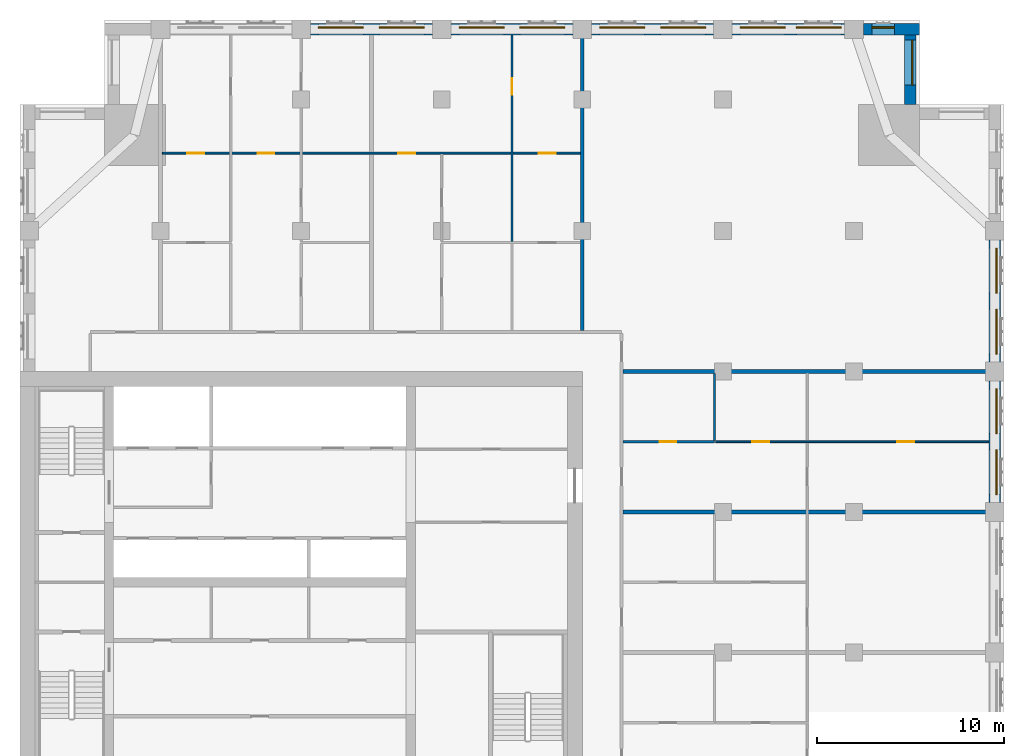
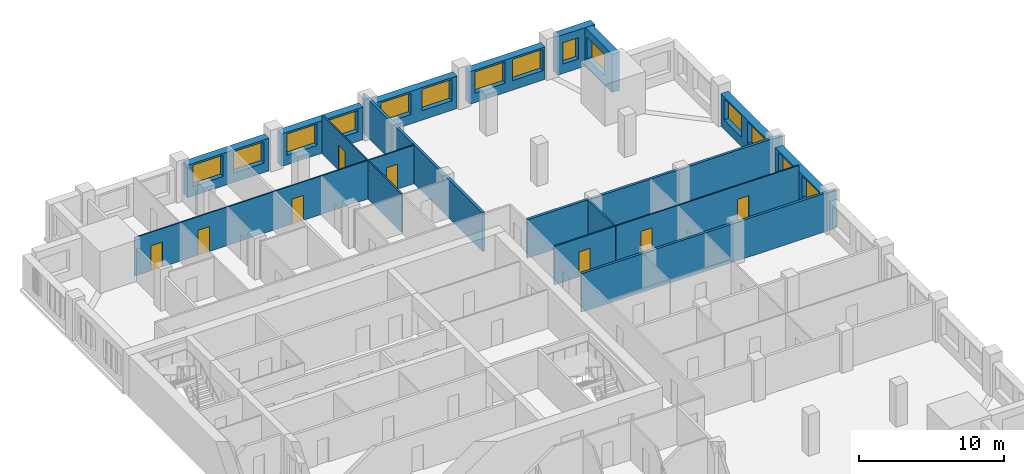
# One storey, part 11 of 14: 16 walls, 14 windows, 8 doors, 22 openings.
"""IFC4 building model written with IfcOpenShell, lengths in metres."""

from ifc_helpers import new_model, si_unit, direction, frame, frame_2d, origin, place, context, subcontext, project, spatial, rectangle, extrude, material, layer, layer_set, type_object, element, fill, save


model = new_model("IFC4")

# Units and contexts
model_context = context("Model", 3, precision=1e-05, world=origin(), true_north=direction((0.0, 1.0)))
body_context = subcontext(model_context, "Body", "Model", "MODEL_VIEW")
ifc_project = project(units=[si_unit("LENGTHUNIT", "METRE"), si_unit("AREAUNIT", "SQUARE_METRE"), si_unit("VOLUMEUNIT", "CUBIC_METRE"), si_unit("PLANEANGLEUNIT", "RADIAN"), si_unit("MASSUNIT", "GRAM", prefix="KILO")], contexts=[model_context])

# Site, building, storey
site_placement = place(None, origin())
site = spatial("IfcSite", under=ifc_project, at=site_placement, CompositionType="ELEMENT")
building_placement = place(site_placement, origin())
building = spatial("IfcBuilding", under=site, at=building_placement, Name="Tamorin Gate", CompositionType="ELEMENT")
storey_placement = place(building_placement, frame((0.0, 0.0, 196.699951171875)))
storey = spatial("IfcBuildingStorey", under=building, at=storey_placement, Name="L48", CompositionType="ELEMENT", Elevation=196.699951171875)

# Wall, openings, windows
ifc_material_1 = material(Name="Precast concrete C40/50", Category="concrete")
ifc_layer_1 = layer(ifc_material_1, 0.60009765625)
ifc_layer_set_1 = layer_set([ifc_layer_1], Name="Precast concrete C40/50")
wall_type_1 = type_object("IfcWallType", Name="Board-marked concrete facade panel 600", PredefinedType="SOLIDWALL", material=ifc_layer_set_1)
wall_1_placement = place(storey_placement, frame((82.0, 75.5, 0.0), z_axis=(0.0, 0.0, 1.0), x_axis=(0.0, 1.0, 0.0)))
wall_1 = element("IfcWall", 1, at=wall_1_placement, inside=storey, type_object=wall_type_1, Name="Facade panel", PredefinedType="SOLIDWALL", context=body_context, shape_type="SweptSolid", body=[
    extrude(rectangle(XDim=6.5, YDim=0.60009765625, at=frame_2d((3.25, 0.0))), origin(), (0.0, 0.0, 1.0), 2.75),
])
opening_1_placement = place(wall_1_placement, frame((0.425048828125, 0.0, 0.800048828125)))
opening_1 = element("IfcOpeningElement", 2, at=opening_1_placement, cuts=wall_1, Name="Opening WN1", PredefinedType="OPENING", context=body_context, shape_type="SweptSolid", body=[
    extrude(rectangle(XDim=2.39990234375, YDim=1.800048828125, at=frame_2d((1.199951171875, 0.89990234375))), frame((0.0, 0.31005859375, 0.0), z_axis=(0.0, -1.0, 0.0), x_axis=(1.0, 0.0, 0.0)), (0.0, 0.0, 1.0), 0.6201171875),
])
opening_2_placement = place(wall_1_placement, frame((3.675048828125, 0.0, 0.800048828125)))
opening_2 = element("IfcOpeningElement", 3, at=opening_2_placement, cuts=wall_1, Name="Opening WN1", PredefinedType="OPENING", context=body_context, shape_type="SweptSolid", body=[
    extrude(rectangle(XDim=2.39990234375, YDim=1.800048828125, at=frame_2d((1.199951171875, 0.89990234375))), frame((0.0, 0.31005859375, 0.0), z_axis=(0.0, -1.0, 0.0), x_axis=(1.0, 0.0, 0.0)), (0.0, 0.0, 1.0), 0.6201171875),
])
ifc_material_2 = material(Name="Clear glass in aluminium frame", Category="aluminium")
window_type_1 = type_object("IfcWindowType", Name="Deep-set window 2400x1800", PartitioningType="SINGLE_PANEL", PredefinedType="WINDOW", material=ifc_material_2)
window_1_placement = place(opening_1_placement, origin())
window_1 = element("IfcWindow", 4, at=window_1_placement, inside=storey, type_object=window_type_1, Name="Deep-set window", OverallHeight=1.800048828125, OverallWidth=2.39990234375, PartitioningType="SINGLE_PANEL", PredefinedType="WINDOW", context=body_context, shape_type="SweptSolid", body=[
    extrude(rectangle(XDim=2.39990234375, YDim=1.800048828125, at=frame_2d((1.199951171875, 0.89990234375))), frame((0.0, -0.070068359375, 0.0), z_axis=(0.0, -1.0, 0.0), x_axis=(1.0, 0.0, 0.0)), (0.0, 0.0, 1.0), 0.06005859375),
])
fill(opening_1, window_1)
window_2_placement = place(opening_2_placement, origin())
window_2 = element("IfcWindow", 5, at=window_2_placement, inside=storey, type_object=window_type_1, Name="Deep-set window", OverallHeight=1.800048828125, OverallWidth=2.39990234375, PartitioningType="SINGLE_PANEL", PredefinedType="WINDOW", context=body_context, shape_type="SweptSolid", body=[
    extrude(rectangle(XDim=2.39990234375, YDim=1.800048828125, at=frame_2d((1.199951171875, 0.89990234375))), frame((0.0, -0.070068359375, 0.0), z_axis=(0.0, -1.0, 0.0), x_axis=(1.0, 0.0, 0.0)), (0.0, 0.0, 1.0), 0.06005859375),
])
fill(opening_2, window_2)

wall_2_placement = place(storey_placement, frame((82.0, 83.0, 0.0), z_axis=(0.0, 0.0, 1.0), x_axis=(0.0, 1.0, 0.0)))
wall_2 = element("IfcWall", 6, at=wall_2_placement, inside=storey, type_object=wall_type_1, Name="Facade panel", PredefinedType="SOLIDWALL", context=body_context, shape_type="SweptSolid", body=[
    extrude(rectangle(XDim=6.5, YDim=0.60009765625, at=frame_2d((3.25, 0.0))), origin(), (0.0, 0.0, 1.0), 2.75),
])
opening_3_placement = place(wall_2_placement, frame((0.425048828125, 0.0, 0.800048828125)))
opening_3 = element("IfcOpeningElement", 7, at=opening_3_placement, cuts=wall_2, Name="Opening WN1", PredefinedType="OPENING", context=body_context, shape_type="SweptSolid", body=[
    extrude(rectangle(XDim=2.39990234375, YDim=1.800048828125, at=frame_2d((1.199951171875, 0.89990234375))), frame((0.0, 0.31005859375, 0.0), z_axis=(0.0, -1.0, 0.0), x_axis=(1.0, 0.0, 0.0)), (0.0, 0.0, 1.0), 0.6201171875),
])
opening_4_placement = place(wall_2_placement, frame((3.675048828125, 0.0, 0.800048828125)))
opening_4 = element("IfcOpeningElement", 8, at=opening_4_placement, cuts=wall_2, Name="Opening WN1", PredefinedType="OPENING", context=body_context, shape_type="SweptSolid", body=[
    extrude(rectangle(XDim=2.39990234375, YDim=1.800048828125, at=frame_2d((1.199951171875, 0.89990234375))), frame((0.0, 0.31005859375, 0.0), z_axis=(0.0, -1.0, 0.0), x_axis=(1.0, 0.0, 0.0)), (0.0, 0.0, 1.0), 0.6201171875),
])
window_3_placement = place(opening_3_placement, origin())
window_3 = element("IfcWindow", 9, at=window_3_placement, inside=storey, type_object=window_type_1, Name="Deep-set window", OverallHeight=1.800048828125, OverallWidth=2.39990234375, PartitioningType="SINGLE_PANEL", PredefinedType="WINDOW", context=body_context, shape_type="SweptSolid", body=[
    extrude(rectangle(XDim=2.39990234375, YDim=1.800048828125, at=frame_2d((1.199951171875, 0.89990234375))), frame((0.0, -0.070068359375, 0.0), z_axis=(0.0, -1.0, 0.0), x_axis=(1.0, 0.0, 0.0)), (0.0, 0.0, 1.0), 0.06005859375),
])
fill(opening_3, window_3)
window_4_placement = place(opening_4_placement, origin())
window_4 = element("IfcWindow", 10, at=window_4_placement, inside=storey, type_object=window_type_1, Name="Deep-set window", OverallHeight=1.800048828125, OverallWidth=2.39990234375, PartitioningType="SINGLE_PANEL", PredefinedType="WINDOW", context=body_context, shape_type="SweptSolid", body=[
    extrude(rectangle(XDim=2.39990234375, YDim=1.800048828125, at=frame_2d((1.199951171875, 0.89990234375))), frame((0.0, -0.070068359375, 0.0), z_axis=(0.0, -1.0, 0.0), x_axis=(1.0, 0.0, 0.0)), (0.0, 0.0, 1.0), 0.06005859375),
])
fill(opening_4, window_4)

# Wall, opening, window
wall_3_placement = place(storey_placement, frame((77.5, 96.75, 0.0), z_axis=(0.0, 0.0, 1.0), x_axis=(0.0, 1.0, 0.0)))
wall_3 = element("IfcWall", 11, at=wall_3_placement, inside=storey, type_object=wall_type_1, Name="Facade panel", PredefinedType="SOLIDWALL", context=body_context, shape_type="SweptSolid", body=[
    extrude(rectangle(XDim=3.699951171875, YDim=0.60009765625, at=frame_2d((1.85009765625, 0.0))), origin(), (0.0, 0.0, 1.0), 3.25),
])
opening_5_placement = place(wall_3_placement, frame((1.02490234375, 0.0, 0.800048828125)))
opening_5 = element("IfcOpeningElement", 12, at=opening_5_placement, cuts=wall_3, Name="Opening WN1", PredefinedType="OPENING", context=body_context, shape_type="SweptSolid", body=[
    extrude(rectangle(XDim=2.39990234375, YDim=1.800048828125, at=frame_2d((1.199951171875, 0.89990234375))), frame((0.0, 0.31005859375, 0.0), z_axis=(0.0, -1.0, 0.0), x_axis=(1.0, 0.0, 0.0)), (0.0, 0.0, 1.0), 0.6201171875),
])
window_5_placement = place(opening_5_placement, origin())
window_5 = element("IfcWindow", 13, at=window_5_placement, inside=storey, type_object=window_type_1, Name="Deep-set window", OverallHeight=1.800048828125, OverallWidth=2.39990234375, PartitioningType="SINGLE_PANEL", PredefinedType="WINDOW", context=body_context, shape_type="SweptSolid", body=[
    extrude(rectangle(XDim=2.39990234375, YDim=1.800048828125, at=frame_2d((1.199951171875, 0.89990234375))), frame((0.0, -0.070068359375, 0.0), z_axis=(0.0, -1.0, 0.0), x_axis=(1.0, 0.0, 0.0)), (0.0, 0.0, 1.0), 0.06005859375),
])
fill(opening_5, window_5)

wall_4_placement = place(storey_placement, frame((78.0, 100.75, 0.0), z_axis=(0.0, 0.0, 1.0), x_axis=(-1.0, 0.0, 0.0)))
wall_4 = element("IfcWall", 14, at=wall_4_placement, inside=storey, type_object=wall_type_1, Name="Facade panel", PredefinedType="SOLIDWALL", context=body_context, shape_type="SweptSolid", body=[
    extrude(rectangle(XDim=3.0, YDim=0.60009765625, at=frame_2d((1.5, 0.0))), origin(), (0.0, 0.0, 1.0), 3.25),
])
opening_6_placement = place(wall_4_placement, frame((1.35009765625, 0.0, 0.800048828125)))
opening_6 = element("IfcOpeningElement", 15, at=opening_6_placement, cuts=wall_4, Name="Opening WN3", PredefinedType="OPENING", context=body_context, shape_type="SweptSolid", body=[
    extrude(rectangle(XDim=1.199951171875, YDim=1.800048828125, at=frame_2d((0.60009765625, 0.89990234375))), frame((0.0, 0.31005859375, 0.0), z_axis=(0.0, -1.0, 0.0), x_axis=(1.0, 0.0, 0.0)), (0.0, 0.0, 1.0), 0.6201171875),
])
window_type_2 = type_object("IfcWindowType", Name="Deep-set window 1200x1800", PartitioningType="SINGLE_PANEL", PredefinedType="WINDOW", material=ifc_material_2)
window_6_placement = place(opening_6_placement, origin())
window_6 = element("IfcWindow", 16, at=window_6_placement, inside=storey, type_object=window_type_2, Name="Deep-set window", OverallHeight=1.800048828125, OverallWidth=1.199951171875, PartitioningType="SINGLE_PANEL", PredefinedType="WINDOW", context=body_context, shape_type="SweptSolid", body=[
    extrude(rectangle(XDim=1.199951171875, YDim=1.800048828125, at=frame_2d((0.60009765625, 0.89990234375))), frame((0.0, -0.070068359375, 0.0), z_axis=(0.0, -1.0, 0.0), x_axis=(1.0, 0.0, 0.0)), (0.0, 0.0, 1.0), 0.06005859375),
])
fill(opening_6, window_6)

# Wall, openings, windows
wall_5_placement = place(storey_placement, frame((74.0, 100.75, 0.0), z_axis=(0.0, 0.0, 1.0), x_axis=(-1.0, 0.0, 0.0)))
wall_5 = element("IfcWall", 17, at=wall_5_placement, inside=storey, type_object=wall_type_1, Name="Facade panel", PredefinedType="SOLIDWALL", context=body_context, shape_type="SweptSolid", body=[
    extrude(rectangle(XDim=6.0, YDim=0.60009765625, at=frame_2d((3.0, 0.0))), origin(), (0.0, 0.0, 1.0), 2.75),
])
opening_7_placement = place(wall_5_placement, frame((3.175048828125, 0.0, 0.800048828125)))
opening_7 = element("IfcOpeningElement", 18, at=opening_7_placement, cuts=wall_5, Name="Opening WN1", PredefinedType="OPENING", context=body_context, shape_type="SweptSolid", body=[
    extrude(rectangle(XDim=2.39990234375, YDim=1.800048828125, at=frame_2d((1.199951171875, 0.89990234375))), frame((0.0, 0.31005859375, 0.0), z_axis=(0.0, -1.0, 0.0), x_axis=(1.0, 0.0, 0.0)), (0.0, 0.0, 1.0), 0.6201171875),
])
opening_8_placement = place(wall_5_placement, frame((0.175048828125, 0.0, 0.800048828125)))
opening_8 = element("IfcOpeningElement", 19, at=opening_8_placement, cuts=wall_5, Name="Opening WN1", PredefinedType="OPENING", context=body_context, shape_type="SweptSolid", body=[
    extrude(rectangle(XDim=2.39990234375, YDim=1.800048828125, at=frame_2d((1.199951171875, 0.89990234375))), frame((0.0, 0.31005859375, 0.0), z_axis=(0.0, -1.0, 0.0), x_axis=(1.0, 0.0, 0.0)), (0.0, 0.0, 1.0), 0.6201171875),
])
window_7_placement = place(opening_7_placement, origin())
window_7 = element("IfcWindow", 20, at=window_7_placement, inside=storey, type_object=window_type_1, Name="Deep-set window", OverallHeight=1.800048828125, OverallWidth=2.39990234375, PartitioningType="SINGLE_PANEL", PredefinedType="WINDOW", context=body_context, shape_type="SweptSolid", body=[
    extrude(rectangle(XDim=2.39990234375, YDim=1.800048828125, at=frame_2d((1.199951171875, 0.89990234375))), frame((0.0, -0.070068359375, 0.0), z_axis=(0.0, -1.0, 0.0), x_axis=(1.0, 0.0, 0.0)), (0.0, 0.0, 1.0), 0.06005859375),
])
fill(opening_7, window_7)
window_8_placement = place(opening_8_placement, origin())
window_8 = element("IfcWindow", 21, at=window_8_placement, inside=storey, type_object=window_type_1, Name="Deep-set window", OverallHeight=1.800048828125, OverallWidth=2.39990234375, PartitioningType="SINGLE_PANEL", PredefinedType="WINDOW", context=body_context, shape_type="SweptSolid", body=[
    extrude(rectangle(XDim=2.39990234375, YDim=1.800048828125, at=frame_2d((1.199951171875, 0.89990234375))), frame((0.0, -0.070068359375, 0.0), z_axis=(0.0, -1.0, 0.0), x_axis=(1.0, 0.0, 0.0)), (0.0, 0.0, 1.0), 0.06005859375),
])
fill(opening_8, window_8)

wall_6_placement = place(storey_placement, frame((67.0, 100.75, 0.0), z_axis=(0.0, 0.0, 1.0), x_axis=(-1.0, 0.0, 0.0)))
wall_6 = element("IfcWall", 22, at=wall_6_placement, inside=storey, type_object=wall_type_1, Name="Facade panel", PredefinedType="SOLIDWALL", context=body_context, shape_type="SweptSolid", body=[
    extrude(rectangle(XDim=6.5, YDim=0.60009765625, at=frame_2d((3.25, 0.0))), origin(), (0.0, 0.0, 1.0), 2.75),
])
opening_9_placement = place(wall_6_placement, frame((3.675048828125, 0.0, 0.800048828125)))
opening_9 = element("IfcOpeningElement", 23, at=opening_9_placement, cuts=wall_6, Name="Opening WN1", PredefinedType="OPENING", context=body_context, shape_type="SweptSolid", body=[
    extrude(rectangle(XDim=2.39990234375, YDim=1.800048828125, at=frame_2d((1.199951171875, 0.89990234375))), frame((0.0, 0.31005859375, 0.0), z_axis=(0.0, -1.0, 0.0), x_axis=(1.0, 0.0, 0.0)), (0.0, 0.0, 1.0), 0.6201171875),
])
opening_10_placement = place(wall_6_placement, frame((0.425048828125, 0.0, 0.800048828125)))
opening_10 = element("IfcOpeningElement", 24, at=opening_10_placement, cuts=wall_6, Name="Opening WN1", PredefinedType="OPENING", context=body_context, shape_type="SweptSolid", body=[
    extrude(rectangle(XDim=2.39990234375, YDim=1.800048828125, at=frame_2d((1.199951171875, 0.89990234375))), frame((0.0, 0.31005859375, 0.0), z_axis=(0.0, -1.0, 0.0), x_axis=(1.0, 0.0, 0.0)), (0.0, 0.0, 1.0), 0.6201171875),
])
window_9_placement = place(opening_9_placement, origin())
window_9 = element("IfcWindow", 25, at=window_9_placement, inside=storey, type_object=window_type_1, Name="Deep-set window", OverallHeight=1.800048828125, OverallWidth=2.39990234375, PartitioningType="SINGLE_PANEL", PredefinedType="WINDOW", context=body_context, shape_type="SweptSolid", body=[
    extrude(rectangle(XDim=2.39990234375, YDim=1.800048828125, at=frame_2d((1.199951171875, 0.89990234375))), frame((0.0, -0.070068359375, 0.0), z_axis=(0.0, -1.0, 0.0), x_axis=(1.0, 0.0, 0.0)), (0.0, 0.0, 1.0), 0.06005859375),
])
fill(opening_9, window_9)
window_10_placement = place(opening_10_placement, origin())
window_10 = element("IfcWindow", 26, at=window_10_placement, inside=storey, type_object=window_type_1, Name="Deep-set window", OverallHeight=1.800048828125, OverallWidth=2.39990234375, PartitioningType="SINGLE_PANEL", PredefinedType="WINDOW", context=body_context, shape_type="SweptSolid", body=[
    extrude(rectangle(XDim=2.39990234375, YDim=1.800048828125, at=frame_2d((1.199951171875, 0.89990234375))), frame((0.0, -0.070068359375, 0.0), z_axis=(0.0, -1.0, 0.0), x_axis=(1.0, 0.0, 0.0)), (0.0, 0.0, 1.0), 0.06005859375),
])
fill(opening_10, window_10)

wall_7_placement = place(storey_placement, frame((59.5, 100.75, 0.0), z_axis=(0.0, 0.0, 1.0), x_axis=(-1.0, 0.0, 0.0)))
wall_7 = element("IfcWall", 27, at=wall_7_placement, inside=storey, type_object=wall_type_1, Name="Facade panel", PredefinedType="SOLIDWALL", context=body_context, shape_type="SweptSolid", body=[
    extrude(rectangle(XDim=6.5, YDim=0.60009765625, at=frame_2d((3.25, 0.0))), origin(), (0.0, 0.0, 1.0), 2.75),
])
opening_11_placement = place(wall_7_placement, frame((3.675048828125, 0.0, 0.800048828125)))
opening_11 = element("IfcOpeningElement", 28, at=opening_11_placement, cuts=wall_7, Name="Opening WN1", PredefinedType="OPENING", context=body_context, shape_type="SweptSolid", body=[
    extrude(rectangle(XDim=2.39990234375, YDim=1.800048828125, at=frame_2d((1.199951171875, 0.89990234375))), frame((0.0, 0.31005859375, 0.0), z_axis=(0.0, -1.0, 0.0), x_axis=(1.0, 0.0, 0.0)), (0.0, 0.0, 1.0), 0.6201171875),
])
opening_12_placement = place(wall_7_placement, frame((0.425048828125, 0.0, 0.800048828125)))
opening_12 = element("IfcOpeningElement", 29, at=opening_12_placement, cuts=wall_7, Name="Opening WN1", PredefinedType="OPENING", context=body_context, shape_type="SweptSolid", body=[
    extrude(rectangle(XDim=2.39990234375, YDim=1.800048828125, at=frame_2d((1.199951171875, 0.89990234375))), frame((0.0, 0.31005859375, 0.0), z_axis=(0.0, -1.0, 0.0), x_axis=(1.0, 0.0, 0.0)), (0.0, 0.0, 1.0), 0.6201171875),
])
window_11_placement = place(opening_11_placement, origin())
window_11 = element("IfcWindow", 30, at=window_11_placement, inside=storey, type_object=window_type_1, Name="Deep-set window", OverallHeight=1.800048828125, OverallWidth=2.39990234375, PartitioningType="SINGLE_PANEL", PredefinedType="WINDOW", context=body_context, shape_type="SweptSolid", body=[
    extrude(rectangle(XDim=2.39990234375, YDim=1.800048828125, at=frame_2d((1.199951171875, 0.89990234375))), frame((0.0, -0.070068359375, 0.0), z_axis=(0.0, -1.0, 0.0), x_axis=(1.0, 0.0, 0.0)), (0.0, 0.0, 1.0), 0.06005859375),
])
fill(opening_11, window_11)
window_12_placement = place(opening_12_placement, origin())
window_12 = element("IfcWindow", 31, at=window_12_placement, inside=storey, type_object=window_type_1, Name="Deep-set window", OverallHeight=1.800048828125, OverallWidth=2.39990234375, PartitioningType="SINGLE_PANEL", PredefinedType="WINDOW", context=body_context, shape_type="SweptSolid", body=[
    extrude(rectangle(XDim=2.39990234375, YDim=1.800048828125, at=frame_2d((1.199951171875, 0.89990234375))), frame((0.0, -0.070068359375, 0.0), z_axis=(0.0, -1.0, 0.0), x_axis=(1.0, 0.0, 0.0)), (0.0, 0.0, 1.0), 0.06005859375),
])
fill(opening_12, window_12)

wall_8_placement = place(storey_placement, frame((52.0, 100.75, 0.0), z_axis=(0.0, 0.0, 1.0), x_axis=(-1.0, 0.0, 0.0)))
wall_8 = element("IfcWall", 32, at=wall_8_placement, inside=storey, type_object=wall_type_1, Name="Facade panel", PredefinedType="SOLIDWALL", context=body_context, shape_type="SweptSolid", body=[
    extrude(rectangle(XDim=6.5, YDim=0.60009765625, at=frame_2d((3.25, 0.0))), origin(), (0.0, 0.0, 1.0), 2.75),
])
opening_13_placement = place(wall_8_placement, frame((3.675048828125, 0.0, 0.800048828125)))
opening_13 = element("IfcOpeningElement", 33, at=opening_13_placement, cuts=wall_8, Name="Opening WN1", PredefinedType="OPENING", context=body_context, shape_type="SweptSolid", body=[
    extrude(rectangle(XDim=2.39990234375, YDim=1.800048828125, at=frame_2d((1.199951171875, 0.89990234375))), frame((0.0, 0.31005859375, 0.0), z_axis=(0.0, -1.0, 0.0), x_axis=(1.0, 0.0, 0.0)), (0.0, 0.0, 1.0), 0.6201171875),
])
opening_14_placement = place(wall_8_placement, frame((0.425048828125, 0.0, 0.800048828125)))
opening_14 = element("IfcOpeningElement", 34, at=opening_14_placement, cuts=wall_8, Name="Opening WN1", PredefinedType="OPENING", context=body_context, shape_type="SweptSolid", body=[
    extrude(rectangle(XDim=2.39990234375, YDim=1.800048828125, at=frame_2d((1.199951171875, 0.89990234375))), frame((0.0, 0.31005859375, 0.0), z_axis=(0.0, -1.0, 0.0), x_axis=(1.0, 0.0, 0.0)), (0.0, 0.0, 1.0), 0.6201171875),
])
window_13_placement = place(opening_13_placement, origin())
window_13 = element("IfcWindow", 35, at=window_13_placement, inside=storey, type_object=window_type_1, Name="Deep-set window", OverallHeight=1.800048828125, OverallWidth=2.39990234375, PartitioningType="SINGLE_PANEL", PredefinedType="WINDOW", context=body_context, shape_type="SweptSolid", body=[
    extrude(rectangle(XDim=2.39990234375, YDim=1.800048828125, at=frame_2d((1.199951171875, 0.89990234375))), frame((0.0, -0.070068359375, 0.0), z_axis=(0.0, -1.0, 0.0), x_axis=(1.0, 0.0, 0.0)), (0.0, 0.0, 1.0), 0.06005859375),
])
fill(opening_13, window_13)
window_14_placement = place(opening_14_placement, origin())
window_14 = element("IfcWindow", 36, at=window_14_placement, inside=storey, type_object=window_type_1, Name="Deep-set window", OverallHeight=1.800048828125, OverallWidth=2.39990234375, PartitioningType="SINGLE_PANEL", PredefinedType="WINDOW", context=body_context, shape_type="SweptSolid", body=[
    extrude(rectangle(XDim=2.39990234375, YDim=1.800048828125, at=frame_2d((1.199951171875, 0.89990234375))), frame((0.0, -0.070068359375, 0.0), z_axis=(0.0, -1.0, 0.0), x_axis=(1.0, 0.0, 0.0)), (0.0, 0.0, 1.0), 0.06005859375),
])
fill(opening_14, window_14)

# Walls
ifc_material_3 = material(Name="Gypsum board partition")
ifc_layer_2 = layer(ifc_material_3, 0.199951171875)
ifc_layer_set_2 = layer_set([ifc_layer_2], Name="Demising wall 200")
wall_type_2 = type_object("IfcWallType", Name="Demising wall 200", PredefinedType="PARTITIONING", material=ifc_layer_set_2)
for number, where, z_axis, x_axis, name in (
    (37, (62.175048828125, 75.0, 0.0), (0.0, 0.0, 1.0), (1.0, 0.0, 0.0), "Demising wall 200"),
    (38, (62.175048828125, 82.5, 0.0), (0.0, 0.0, 1.0), (1.0, 0.0, 0.0), "Demising wall 200"),
):
    element("IfcWall", number, at=place(storey_placement, frame(where, z_axis=z_axis, x_axis=x_axis)), inside=storey, type_object=wall_type_2, Name=name, PredefinedType="PARTITIONING", context=body_context, shape_type="SweptSolid", body=[
        extrude(rectangle(XDim=20.324951171875, YDim=0.199951171875, at=frame_2d((10.16259765625, 0.0))), origin(), (0.0, 0.0, 1.0), 3.25),
    ])
wall_9_placement = place(storey_placement, frame((60.0, 84.675048828125, 0.0), z_axis=(0.0, 0.0, 1.0), x_axis=(0.0, 1.0, 0.0)))
element("IfcWall", 39, at=wall_9_placement, inside=storey, type_object=wall_type_2, Name="Demising wall 200", PredefinedType="PARTITIONING", context=body_context, shape_type="SweptSolid", body=[
    extrude(rectangle(XDim=16.574951171875, YDim=0.199951171875, at=frame_2d((8.28759765625, 0.0))), origin(), (0.0, 0.0, 1.0), 3.25),
])

# Wall, openings, doors
ifc_layer_3 = layer(ifc_material_3, 0.10009765625)
ifc_layer_set_3 = layer_set([ifc_layer_3], Name="Room partition 100")
wall_type_3 = type_object("IfcWallType", Name="Room partition 100", PredefinedType="PARTITIONING", material=ifc_layer_set_3)
wall_10_placement = place(storey_placement, frame((67.112548828125, 78.75, 0.0), z_axis=(0.0, 0.0, 1.0), x_axis=(1.0, 0.0, 0.0)))
wall_10 = element("IfcWall", 40, at=wall_10_placement, inside=storey, type_object=wall_type_3, Name="Room partition 100", PredefinedType="PARTITIONING", context=body_context, shape_type="SweptSolid", body=[
    extrude(rectangle(XDim=14.577392578125, YDim=0.10009765625, at=frame_2d((7.28857421875, 0.0))), origin(), (0.0, 0.0, 1.0), 3.25),
])
opening_15_placement = place(wall_10_placement, frame((1.96240234375, 0.0, 0.0)))
opening_15 = element("IfcOpeningElement", 41, at=opening_15_placement, cuts=wall_10, Name="Opening DR2047", PredefinedType="OPENING", context=body_context, shape_type="SweptSolid", body=[
    extrude(rectangle(XDim=0.89990234375, YDim=2.10009765625, at=frame_2d((0.449951171875, 1.050048828125))), frame((0.0, 0.06005859375, 0.0), z_axis=(0.0, -1.0, 0.0), x_axis=(1.0, 0.0, 0.0)), (0.0, 0.0, 1.0), 0.1201171875),
])
opening_16_placement = place(wall_10_placement, frame((9.6875, 0.0, 0.0)))
opening_16 = element("IfcOpeningElement", 42, at=opening_16_placement, cuts=wall_10, Name="Opening DR2049", PredefinedType="OPENING", context=body_context, shape_type="SweptSolid", body=[
    extrude(rectangle(XDim=0.89990234375, YDim=2.10009765625, at=frame_2d((0.449951171875, 1.050048828125))), frame((0.0, 0.06005859375, 0.0), z_axis=(0.0, -1.0, 0.0), x_axis=(1.0, 0.0, 0.0)), (0.0, 0.0, 1.0), 0.1201171875),
])
ifc_material_4 = material(Name="Timber door leaf", Category="wood")
door_type = type_object("IfcDoorType", Name="Door 900 x 2100", OperationType="NOTDEFINED", PredefinedType="DOOR", material=ifc_material_4)
door_1_placement = place(opening_15_placement, origin())
door_1 = element("IfcDoor", 43, at=door_1_placement, inside=storey, type_object=door_type, Name="Door DR2047", OperationType="SINGLE_SWING_LEFT", OverallHeight=2.10009765625, OverallWidth=0.89990234375, PredefinedType="DOOR", context=body_context, shape_type="SweptSolid", body=[
    extrude(rectangle(XDim=0.89990234375, YDim=2.10009765625, at=frame_2d((0.449951171875, 1.050048828125))), frame((0.0, 0.02490234375, 0.0), z_axis=(0.0, -1.0, 0.0), x_axis=(1.0, 0.0, 0.0)), (0.0, 0.0, 1.0), 0.050048828125),
])
fill(opening_15, door_1)
door_2_placement = place(opening_16_placement, origin())
door_2 = element("IfcDoor", 44, at=door_2_placement, inside=storey, type_object=door_type, Name="Door DR2049", OperationType="SINGLE_SWING_RIGHT", OverallHeight=2.10009765625, OverallWidth=0.89990234375, PredefinedType="DOOR", context=body_context, shape_type="SweptSolid", body=[
    extrude(rectangle(XDim=0.89990234375, YDim=2.10009765625, at=frame_2d((0.449951171875, 1.050048828125))), frame((0.0, 0.02490234375, 0.0), z_axis=(0.0, -1.0, 0.0), x_axis=(1.0, 0.0, 0.0)), (0.0, 0.0, 1.0), 0.050048828125),
])
fill(opening_16, door_2)

wall_11_placement = place(storey_placement, frame((37.60009765625, 94.14990234375, 0.0), z_axis=(0.0, 0.0, 1.0), x_axis=(1.0, 0.0, 0.0)))
wall_11 = element("IfcWall", 45, at=wall_11_placement, inside=storey, type_object=wall_type_3, Name="Room partition 100", PredefinedType="PARTITIONING", context=body_context, shape_type="SweptSolid", body=[
    extrude(rectangle(XDim=22.2998046875, YDim=0.10009765625, at=frame_2d((11.14990234375, 0.0))), origin(), (0.0, 0.0, 1.0), 3.25),
])
opening_17_placement = place(wall_11_placement, frame((1.324951171875, 0.0, 0.0)))
opening_17 = element("IfcOpeningElement", 46, at=opening_17_placement, cuts=wall_11, Name="Opening DR2020", PredefinedType="OPENING", context=body_context, shape_type="SweptSolid", body=[
    extrude(rectangle(XDim=0.89990234375, YDim=2.10009765625, at=frame_2d((0.449951171875, 1.050048828125))), frame((0.0, 0.06005859375, 0.0), z_axis=(0.0, -1.0, 0.0), x_axis=(1.0, 0.0, 0.0)), (0.0, 0.0, 1.0), 0.1201171875),
])
opening_18_placement = place(wall_11_placement, frame((5.074951171875, 0.0, 0.0)))
opening_18 = element("IfcOpeningElement", 47, at=opening_18_placement, cuts=wall_11, Name="Opening DR2023", PredefinedType="OPENING", context=body_context, shape_type="SweptSolid", body=[
    extrude(rectangle(XDim=0.89990234375, YDim=2.10009765625, at=frame_2d((0.449951171875, 1.050048828125))), frame((0.0, 0.06005859375, 0.0), z_axis=(0.0, -1.0, 0.0), x_axis=(1.0, 0.0, 0.0)), (0.0, 0.0, 1.0), 0.1201171875),
])
opening_19_placement = place(wall_11_placement, frame((12.574951171875, 0.0, 0.0)))
opening_19 = element("IfcOpeningElement", 48, at=opening_19_placement, cuts=wall_11, Name="Opening DR2029", PredefinedType="OPENING", context=body_context, shape_type="SweptSolid", body=[
    extrude(rectangle(XDim=0.89990234375, YDim=2.10009765625, at=frame_2d((0.449951171875, 1.050048828125))), frame((0.0, 0.06005859375, 0.0), z_axis=(0.0, -1.0, 0.0), x_axis=(1.0, 0.0, 0.0)), (0.0, 0.0, 1.0), 0.1201171875),
])
opening_20_placement = place(wall_11_placement, frame((20.074951171875, 0.0, 0.0)))
opening_20 = element("IfcOpeningElement", 49, at=opening_20_placement, cuts=wall_11, Name="Opening DR2032", PredefinedType="OPENING", context=body_context, shape_type="SweptSolid", body=[
    extrude(rectangle(XDim=0.89990234375, YDim=2.10009765625, at=frame_2d((0.449951171875, 1.050048828125))), frame((0.0, 0.06005859375, 0.0), z_axis=(0.0, -1.0, 0.0), x_axis=(1.0, 0.0, 0.0)), (0.0, 0.0, 1.0), 0.1201171875),
])
door_3_placement = place(opening_17_placement, origin())
door_3 = element("IfcDoor", 50, at=door_3_placement, inside=storey, type_object=door_type, Name="Door DR2020", OperationType="SINGLE_SWING_RIGHT", OverallHeight=2.10009765625, OverallWidth=0.89990234375, PredefinedType="DOOR", context=body_context, shape_type="SweptSolid", body=[
    extrude(rectangle(XDim=0.89990234375, YDim=2.10009765625, at=frame_2d((0.449951171875, 1.050048828125))), frame((0.0, 0.02490234375, 0.0), z_axis=(0.0, -1.0, 0.0), x_axis=(1.0, 0.0, 0.0)), (0.0, 0.0, 1.0), 0.050048828125),
])
fill(opening_17, door_3)
door_4_placement = place(opening_18_placement, origin())
door_4 = element("IfcDoor", 51, at=door_4_placement, inside=storey, type_object=door_type, Name="Door DR2023", OperationType="SINGLE_SWING_RIGHT", OverallHeight=2.10009765625, OverallWidth=0.89990234375, PredefinedType="DOOR", context=body_context, shape_type="SweptSolid", body=[
    extrude(rectangle(XDim=0.89990234375, YDim=2.10009765625, at=frame_2d((0.449951171875, 1.050048828125))), frame((0.0, 0.02490234375, 0.0), z_axis=(0.0, -1.0, 0.0), x_axis=(1.0, 0.0, 0.0)), (0.0, 0.0, 1.0), 0.050048828125),
])
fill(opening_18, door_4)
door_5_placement = place(opening_19_placement, origin())
door_5 = element("IfcDoor", 52, at=door_5_placement, inside=storey, type_object=door_type, Name="Door DR2029", OperationType="SINGLE_SWING_RIGHT", OverallHeight=2.10009765625, OverallWidth=0.89990234375, PredefinedType="DOOR", context=body_context, shape_type="SweptSolid", body=[
    extrude(rectangle(XDim=0.89990234375, YDim=2.10009765625, at=frame_2d((0.449951171875, 1.050048828125))), frame((0.0, 0.02490234375, 0.0), z_axis=(0.0, -1.0, 0.0), x_axis=(1.0, 0.0, 0.0)), (0.0, 0.0, 1.0), 0.050048828125),
])
fill(opening_19, door_5)
door_6_placement = place(opening_20_placement, origin())
door_6 = element("IfcDoor", 53, at=door_6_placement, inside=storey, type_object=door_type, Name="Door DR2032", OperationType="SINGLE_SWING_RIGHT", OverallHeight=2.10009765625, OverallWidth=0.89990234375, PredefinedType="DOOR", context=body_context, shape_type="SweptSolid", body=[
    extrude(rectangle(XDim=0.89990234375, YDim=2.10009765625, at=frame_2d((0.449951171875, 1.050048828125))), frame((0.0, 0.02490234375, 0.0), z_axis=(0.0, -1.0, 0.0), x_axis=(1.0, 0.0, 0.0)), (0.0, 0.0, 1.0), 0.050048828125),
])
fill(opening_20, door_6)

# Wall, opening, door
wall_12_placement = place(storey_placement, frame((56.25, 89.4375, 0.0), z_axis=(0.0, 0.0, 1.0), x_axis=(0.0, 1.0, 0.0)))
wall_12 = element("IfcWall", 54, at=wall_12_placement, inside=storey, type_object=wall_type_3, Name="Room partition 100", PredefinedType="PARTITIONING", context=body_context, shape_type="SweptSolid", body=[
    extrude(rectangle(XDim=11.00244140625, YDim=0.10009765625, at=frame_2d((5.501220703125, 0.0))), origin(), (0.0, 0.0, 1.0), 3.25),
])
opening_21_placement = place(wall_12_placement, frame((7.8125, 0.0, 0.0)))
opening_21 = element("IfcOpeningElement", 55, at=opening_21_placement, cuts=wall_12, Name="Opening DR2034", PredefinedType="OPENING", context=body_context, shape_type="SweptSolid", body=[
    extrude(rectangle(XDim=0.89990234375, YDim=2.10009765625, at=frame_2d((0.449951171875, 1.050048828125))), frame((0.0, 0.06005859375, 0.0), z_axis=(0.0, -1.0, 0.0), x_axis=(1.0, 0.0, 0.0)), (0.0, 0.0, 1.0), 0.1201171875),
])
door_7_placement = place(opening_21_placement, origin())
door_7 = element("IfcDoor", 56, at=door_7_placement, inside=storey, type_object=door_type, Name="Door DR2034", OperationType="SINGLE_SWING_RIGHT", OverallHeight=2.10009765625, OverallWidth=0.89990234375, PredefinedType="DOOR", context=body_context, shape_type="SweptSolid", body=[
    extrude(rectangle(XDim=0.89990234375, YDim=2.10009765625, at=frame_2d((0.449951171875, 1.050048828125))), frame((0.0, 0.02490234375, 0.0), z_axis=(0.0, -1.0, 0.0), x_axis=(1.0, 0.0, 0.0)), (0.0, 0.0, 1.0), 0.050048828125),
])
fill(opening_21, door_7)

ifc_layer_4 = layer(ifc_material_3, 0.125)
ifc_layer_set_4 = layer_set([ifc_layer_4], Name="Wet wall 125")
wall_type_4 = type_object("IfcWallType", Name="Wet wall 125", PredefinedType="PARTITIONING", material=ifc_layer_set_4)
wall_13_placement = place(storey_placement, frame((62.175048828125, 78.75, 0.0), z_axis=(0.0, 0.0, 1.0), x_axis=(1.0, 0.0, 0.0)))
wall_13 = element("IfcWall", 57, at=wall_13_placement, inside=storey, type_object=wall_type_4, Name="Wet wall 125", PredefinedType="PARTITIONING", context=body_context, shape_type="SweptSolid", body=[
    extrude(rectangle(XDim=4.875, YDim=0.125, at=frame_2d((2.4375, 0.0))), origin(), (0.0, 0.0, 1.0), 3.25),
])
opening_22_placement = place(wall_13_placement, frame((1.949951171875, 0.0, 0.0)))
opening_22 = element("IfcOpeningElement", 58, at=opening_22_placement, cuts=wall_13, Name="Opening DR2048", PredefinedType="OPENING", context=body_context, shape_type="SweptSolid", body=[
    extrude(rectangle(XDim=0.89990234375, YDim=2.10009765625, at=frame_2d((0.449951171875, 1.050048828125))), frame((0.0, 0.072509765625, 0.0), z_axis=(0.0, -1.0, 0.0), x_axis=(1.0, 0.0, 0.0)), (0.0, 0.0, 1.0), 0.14501953125),
])
door_8_placement = place(opening_22_placement, origin())
door_8 = element("IfcDoor", 59, at=door_8_placement, inside=storey, type_object=door_type, Name="Door DR2048", OperationType="SINGLE_SWING_RIGHT", OverallHeight=2.10009765625, OverallWidth=0.89990234375, PredefinedType="DOOR", context=body_context, shape_type="SweptSolid", body=[
    extrude(rectangle(XDim=0.89990234375, YDim=2.10009765625, at=frame_2d((0.449951171875, 1.050048828125))), frame((0.0, 0.02490234375, 0.0), z_axis=(0.0, -1.0, 0.0), x_axis=(1.0, 0.0, 0.0)), (0.0, 0.0, 1.0), 0.050048828125),
])
fill(opening_22, door_8)

# Wall
wall_14_placement = place(storey_placement, frame((67.050048828125, 78.8125, 0.0), z_axis=(0.0, 0.0, 1.0), x_axis=(0.0, 1.0, 0.0)))
element("IfcWall", 60, at=wall_14_placement, inside=storey, type_object=wall_type_4, Name="Wet wall 125", PredefinedType="PARTITIONING", context=body_context, shape_type="SweptSolid", body=[
    extrude(rectangle(XDim=3.58740234375, YDim=0.125, at=frame_2d((1.793701171875, 0.0))), origin(), (0.0, 0.0, 1.0), 3.25),
])

save(model, "model.ifc")
